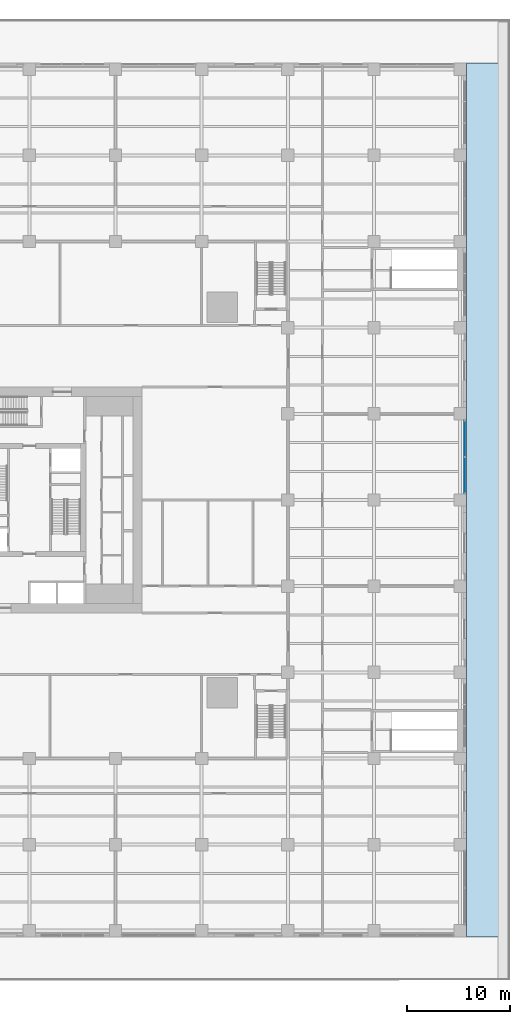
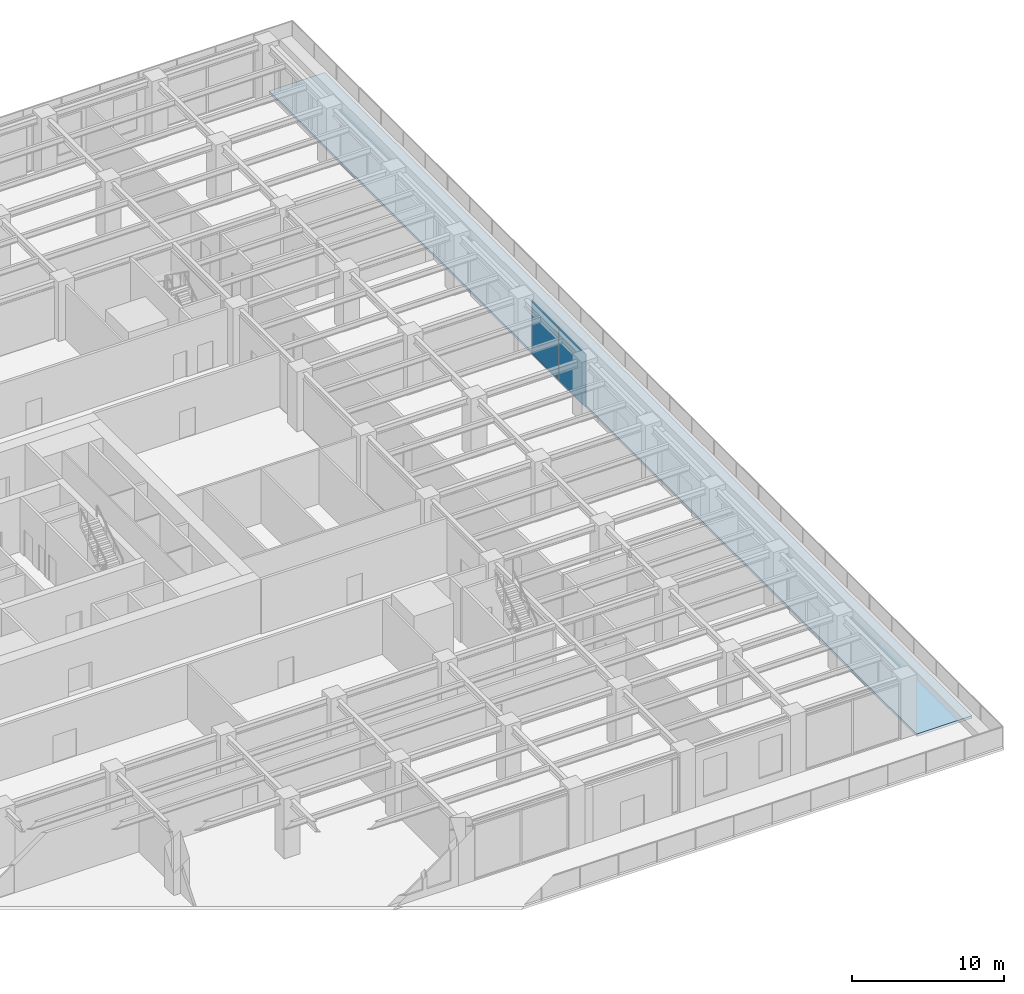
# One storey, part 29 of 53: 2 plates, 1 slab, 1 element without a shape of its own.
"""IFC4 building model written with IfcOpenShell, lengths in metres."""

import ifcopenshell
import ifcopenshell.guid

model = None  # the IFC model being written
_history = None  # IfcOwnerHistory: only IFC2X3 demands one
_inside = {}  # id of a spatial element -> (the spatial element, [elements in it])
_under = {}  # id of a project, library or spatial element -> (it, [spatial elements below it])
_declared = {}  # id of a project -> (the project, [libraries it declares])
_typed = {}  # id of a type object -> (the type object, [elements of that type])
_made_of = {}  # id of a material, layer set ... -> (it, [elements and type objects made of it])


def new_model(schema):
    """Start an empty IFC model of exactly this schema.

    Asked for "IFC4X3", IfcOpenShell would pick the latest addendum, in which some entities
    have other attributes; the version numbers below select the first issue.
    IFC2X3 requires an IfcOwnerHistory on every rooted entity: one is made here for all.
    """
    global model, _history
    if schema == "IFC4X3":
        model = ifcopenshell.file(schema_version=(4, 3, 0, 0))
    else:
        model = ifcopenshell.file(schema=schema)
    _inside.clear()
    _under.clear()
    _declared.clear()
    _typed.clear()
    _made_of.clear()
    _history = None
    if model.schema == "IFC2X3":
        org = make("IfcOrganization", Name="unknown")
        user = make(
            "IfcPersonAndOrganization",
            ThePerson=make("IfcPerson", FamilyName="unknown"),
            TheOrganization=org,
        )
        app = make(
            "IfcApplication",
            ApplicationDeveloper=org,
            Version="unknown",
            ApplicationFullName="unknown",
            ApplicationIdentifier="unknown",
        )
        _history = make(
            "IfcOwnerHistory",
            OwningUser=user,
            OwningApplication=app,
            ChangeAction="ADDED",
            CreationDate=0,
        )
    return model


def make(cls, **values):
    """One entity of the class cls with the attributes given. An attribute that is None is left unset."""
    return model.create_entity(
        cls, **{name: value for name, value in values.items() if value is not None}
    )


def rooted(cls, **values):
    """An entity with a GlobalId (a new one), such as an element, a storey or a relation."""
    return make(cls, GlobalId=ifcopenshell.guid.new(), OwnerHistory=_history, **values)


def si_unit(unit_type, name, prefix=None):
    """IfcSIUnit, for example si_unit("LENGTHUNIT", "METRE", prefix="MILLI")."""
    return make("IfcSIUnit", UnitType=unit_type, Prefix=prefix, Name=name)


def assignment(units):
    """IfcUnitAssignment: the units of a project."""
    return None if units is None else make("IfcUnitAssignment", Units=units)


def point(xyz):
    """IfcCartesianPoint."""
    return None if xyz is None else make("IfcCartesianPoint", Coordinates=xyz)


def direction(xyz):
    """IfcDirection."""
    return None if xyz is None else make("IfcDirection", DirectionRatios=xyz)


def frame(location, z_axis=None, x_axis=None):
    """IfcAxis2Placement3D, a coordinate frame: its origin and axes. An axis left out is left unset."""
    return make(
        "IfcAxis2Placement3D",
        Location=point(location),
        Axis=direction(z_axis),
        RefDirection=direction(x_axis),
    )


def frame_2d(location, x_axis=None):
    """IfcAxis2Placement2D, a coordinate frame in the plane: its origin and x axis."""
    return make(
        "IfcAxis2Placement2D", Location=point(location), RefDirection=direction(x_axis)
    )


def origin():
    """The frame at (0, 0, 0) with its axes left unset."""
    return frame((0.0, 0.0, 0.0))


def origin_2d():
    """The frame at (0, 0) in the plane with its x axis left unset."""
    return frame_2d((0.0, 0.0))


def place(relative_to, where):
    """IfcLocalPlacement: puts the frame where relative to a parent placement (None: the world)."""
    return make(
        "IfcLocalPlacement", PlacementRelTo=relative_to, RelativePlacement=where
    )


def context(
    kind, dimensions, precision=None, world=None, true_north=None, identifier=None
):
    """IfcGeometricRepresentationContext, for example the 3D "Model" context."""
    return make(
        "IfcGeometricRepresentationContext",
        ContextIdentifier=identifier,
        ContextType=kind,
        CoordinateSpaceDimension=dimensions,
        Precision=precision,
        WorldCoordinateSystem=world,
        TrueNorth=true_north,
    )


def subcontext(parent, identifier, kind, view, scale=None):
    """IfcGeometricRepresentationSubContext, for example "Body" below "Model"."""
    return make(
        "IfcGeometricRepresentationSubContext",
        ContextIdentifier=identifier,
        ContextType=kind,
        ParentContext=parent,
        TargetScale=scale,
        TargetView=view,
    )


def project(units=None, contexts=None):
    """IfcProject with its units and contexts."""
    return rooted(
        "IfcProject",
        Name="project",
        RepresentationContexts=contexts,
        UnitsInContext=assignment(units),
    )


def spatial(cls, under=None, at=None, **own):
    """A site, building, storey or space (cls), placed at a placement, below another one or the project."""
    s = rooted(cls, ObjectPlacement=at, **own)
    if under is not None:
        _under.setdefault(under.id(), (under, []))[1].append(s)
    return s


def polyline(points):
    """IfcPolyline through the points."""
    return make("IfcPolyline", Points=[point(p) for p in points])


def profile(cls, at=None, kind="AREA", **sizes):
    """A parametric profile (cls). Its sizes go by their IFC names, for example OverallWidth=200.0."""
    return make(cls, ProfileType=kind, Position=at, **sizes)


def rectangle(**sizes):
    """IfcRectangleProfileDef."""
    return profile("IfcRectangleProfileDef", **sizes)


def outline(outer, holes=None, kind="AREA"):
    """IfcArbitraryClosedProfileDef: a profile drawn as a closed curve; with holes, ...WithVoids."""
    if holes is None:
        return make("IfcArbitraryClosedProfileDef", ProfileType=kind, OuterCurve=outer)
    return make(
        "IfcArbitraryProfileDefWithVoids",
        ProfileType=kind,
        OuterCurve=outer,
        InnerCurves=holes,
    )


def extrude(swept, where, along, depth):
    """IfcExtrudedAreaSolid: the profile swept, set in the frame where, extruded along a direction by depth."""
    return make(
        "IfcExtrudedAreaSolid",
        SweptArea=swept,
        Position=where,
        ExtrudedDirection=direction(along),
        Depth=depth,
    )


def shape(context_of_items, identifier, shape_type, items):
    """IfcShapeRepresentation: the items that make up one representation, for example the "Body"."""
    return make(
        "IfcShapeRepresentation",
        ContextOfItems=context_of_items,
        RepresentationIdentifier=identifier,
        RepresentationType=shape_type,
        Items=items,
    )


def material(Name=None, Category=None):
    """IfcMaterial."""
    return make("IfcMaterial", Name=Name, Category=Category)


def layer(
    of_material, thickness, ventilated=None, Name=None, Category=None, Priority=None
):
    """IfcMaterialLayer: one layer of a wall or slab, of a material (None: an air gap)."""
    return make(
        "IfcMaterialLayer",
        Material=of_material,
        LayerThickness=thickness,
        IsVentilated=ventilated,
        Name=Name,
        Category=Category,
        Priority=Priority,
    )


def layer_set(layers, Name=None):
    """IfcMaterialLayerSet."""
    return make("IfcMaterialLayerSet", MaterialLayers=layers, LayerSetName=Name)


def made_of(thing, what):
    """Note that an element or type object is made of a material, layer set ...; save() writes the relation."""
    if what is not None:
        _made_of.setdefault(what.id(), (what, []))[1].append(thing)
    return thing


def type_object(cls, material=None, **own):
    """A type object (cls), such as IfcWallType, which elements share."""
    return made_of(rooted(cls, **own), material)


def element(
    cls,
    number,
    at=None,
    inside=None,
    cuts=None,
    type_object=None,
    material=None,
    context=None,
    identifier="Body",
    shape_type=None,
    held_by="IfcProductDefinitionShape",
    body=None,
    shapes=None,
    **own,
):
    """One element of the class cls, such as IfcWall. Its Tag is "e" and its number.

    at: its placement. inside: the storey or other place that contains it. cuts: it is an
    opening in that element (IfcRelVoidsElement). A single representation is given by context,
    identifier, shape_type and body (its items); several are given by shapes. held_by: the class
    of the entity that holds the representations. save() writes the other relations.
    """
    e = rooted(cls, Tag="e%d" % number, ObjectPlacement=at, **own)
    if body is not None:
        shapes = [shape(context, identifier, shape_type, body)]
    if shapes is not None:
        e.Representation = make(held_by, Representations=shapes)
    if inside is not None:
        _inside.setdefault(inside.id(), (inside, []))[1].append(e)
    if cuts is not None:
        rooted(
            "IfcRelVoidsElement", RelatingBuildingElement=cuts, RelatedOpeningElement=e
        )
    if type_object is not None:
        _typed.setdefault(type_object.id(), (type_object, []))[1].append(e)
    return made_of(e, material)


def aggregate(whole, parts):
    """IfcRelAggregates: a whole, such as a stair, and the parts it consists of."""
    return rooted("IfcRelAggregates", RelatingObject=whole, RelatedObjects=parts)


def save(model, path):
    """Write the relations noted so far, then the file.

    IfcRelAggregates (storeys below a building ...), IfcRelContainedInSpatialStructure (elements
    in a storey), IfcRelDefinesByType, IfcRelAssociatesMaterial and IfcRelDeclares: one each for
    every whole, place, type object, material and project.
    """
    for whole, parts in _under.values():
        aggregate(whole, parts)
    for where, things in _inside.values():
        rooted(
            "IfcRelContainedInSpatialStructure",
            RelatedElements=things,
            RelatingStructure=where,
        )
    for kind, things in _typed.values():
        rooted("IfcRelDefinesByType", RelatedObjects=things, RelatingType=kind)
    for what, things in _made_of.values():
        rooted("IfcRelAssociatesMaterial", RelatedObjects=things, RelatingMaterial=what)
    for by, libraries in _declared.values():
        rooted("IfcRelDeclares", RelatingContext=by, RelatedDefinitions=libraries)
    model.write(path)


model = new_model("IFC4")

# Units and contexts
model_context = context("Model", 3, precision=1e-05, world=origin(), true_north=direction((0.0, 1.0)))
body_context = subcontext(model_context, "Body", "Model", "MODEL_VIEW")
ifc_project = project(units=[si_unit("LENGTHUNIT", "METRE"), si_unit("AREAUNIT", "SQUARE_METRE"), si_unit("VOLUMEUNIT", "CUBIC_METRE"), si_unit("PLANEANGLEUNIT", "RADIAN"), si_unit("MASSUNIT", "GRAM", prefix="KILO")], contexts=[model_context])

# Site, building, storey
site_placement = place(None, origin())
site = spatial("IfcSite", under=ifc_project, at=site_placement, CompositionType="ELEMENT")
building_placement = place(site_placement, origin())
building = spatial("IfcBuilding", under=site, at=building_placement, Name="Khepri Terraces", CompositionType="ELEMENT")
storey_placement = place(building_placement, frame((0.0, 0.0, 7.199951171875)))
storey = spatial("IfcBuildingStorey", under=building, at=storey_placement, Name="L01", CompositionType="ELEMENT", Elevation=7.199951171875)

# Curtain wall, plates
ifc_material_1 = material(Name="Anodised aluminium bronze curtain wall", Category="aluminium")
curtain_wall_type = type_object("IfcCurtainWallType", Name="CW-SYS2-PODIUM", PredefinedType="NOTDEFINED", material=ifc_material_1)
curtain_wall_placement = place(storey_placement, origin())
curtain_wall = element("IfcCurtainWall", 1, at=curtain_wall_placement, inside=storey, type_object=curtain_wall_type, Name="Curtain wall CW2 L01 E", PredefinedType="NOTDEFINED")
ifc_material_2 = material(Name="Clear glass", Category="glass")
ifc_layer_1 = layer(ifc_material_2, 0.028076171875, Name="Clear glass", Category="glass")
ifc_layer_set_1 = layer_set([ifc_layer_1], Name="Clear glass")
plate_type = type_object("IfcPlateType", Name="CW-PANEL-VISION-28", PredefinedType="CURTAIN_PANEL", material=ifc_layer_set_1)
plate_1_placement = place(storey_placement, frame((42.449951171875, 2.4150390625, 0.06005859375), z_axis=(0.0, 0.0, 1.0), x_axis=(0.0, 1.0, 0.0)))
plate_1 = element("IfcPlate", 2, at=plate_1_placement, type_object=plate_type, Name="CW2 panel 1.1", PredefinedType="CURTAIN_PANEL", context=body_context, shape_type="SweptSolid", body=[
    extrude(rectangle(XDim=3.510009765625, YDim=0.028076171875, at=origin_2d()), origin(), (0.0, 0.0, 1.0), 4.260009765625),
])
plate_2_placement = place(storey_placement, frame((42.449951171875, 5.985107421875, 0.06005859375), z_axis=(0.0, 0.0, 1.0), x_axis=(0.0, 1.0, 0.0)))
plate_2 = element("IfcPlate", 3, at=plate_2_placement, type_object=plate_type, Name="CW2 panel 2.1", PredefinedType="CURTAIN_PANEL", context=body_context, shape_type="SweptSolid", body=[
    extrude(rectangle(XDim=3.510009765625, YDim=0.028076171875, at=origin_2d()), origin(), (0.0, 0.0, 1.0), 4.260009765625),
])
aggregate(curtain_wall, [plate_1, plate_2])

# Slab
ifc_material_3 = material(Name="Concrete C35/45", Category="concrete")
ifc_layer_2 = layer(ifc_material_3, 0.199951171875, Name="Concrete C35/45", Category="concrete")
ifc_layer_set_2 = layer_set([ifc_layer_2], Name="Concrete C35/45")
slab_type = type_object("IfcSlabType", Name="Composite terrace slab 200", PredefinedType="ROOF", material=ifc_layer_set_2)
slab_placement = place(storey_placement, frame((0.0, 0.0, -0.199951171875)))
element("IfcSlab", 4, at=slab_placement, inside=storey, type_object=slab_type, Name="Terrace slab L01-podium-1", PredefinedType="ROOF", context=body_context, shape_type="SweptSolid", body=[
    extrude(outline(polyline([(46.800048828125, -42.60009765625), (42.60009765625, -42.60009765625), (42.60009765625, 42.60009765625), (46.800048828125, 42.60009765625), (46.800048828125, -42.60009765625)])), origin(), (0.0, 0.0, 1.0), 0.199951171875),
])

save(model, "model.ifc")
